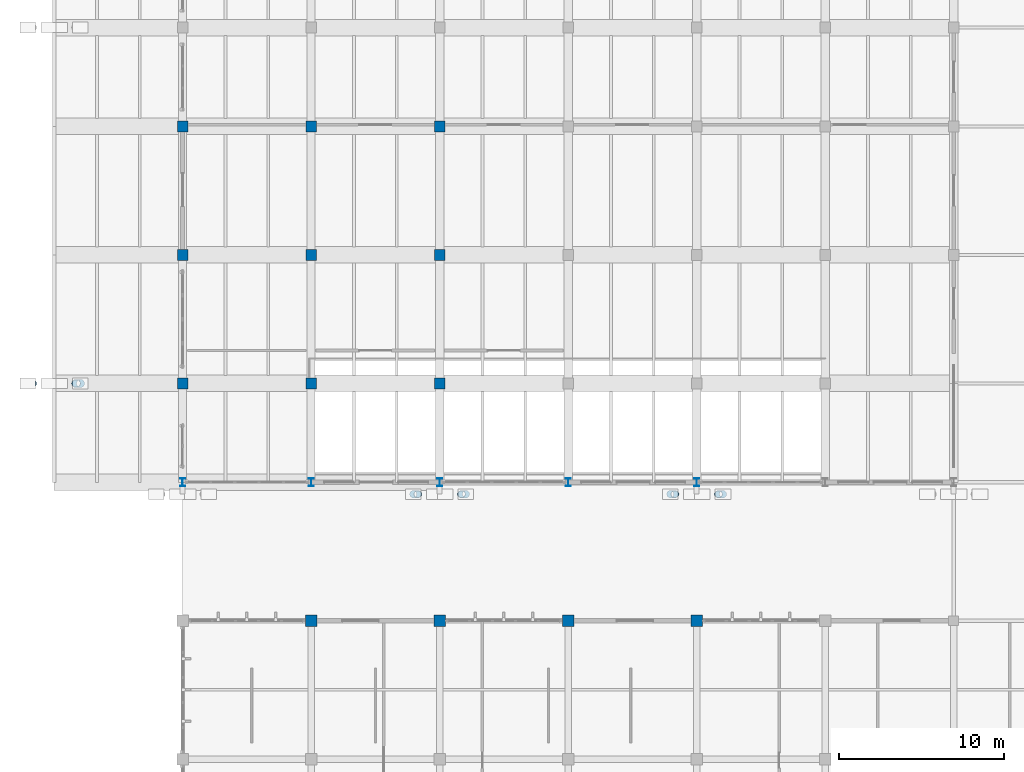
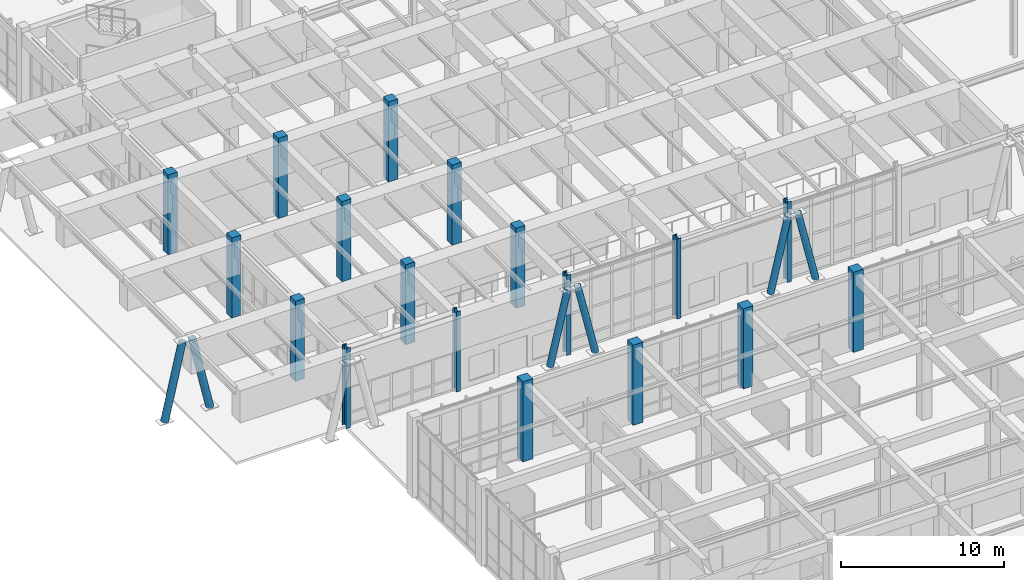
# One storey, part 2 of 110: 24 columns.
"""IFC4 building model written with IfcOpenShell, lengths in metres."""

import ifcopenshell
import ifcopenshell.guid

model = None  # the IFC model being written
_history = None  # IfcOwnerHistory: only IFC2X3 demands one
_inside = {}  # id of a spatial element -> (the spatial element, [elements in it])
_under = {}  # id of a project, library or spatial element -> (it, [spatial elements below it])
_declared = {}  # id of a project -> (the project, [libraries it declares])
_typed = {}  # id of a type object -> (the type object, [elements of that type])
_made_of = {}  # id of a material, layer set ... -> (it, [elements and type objects made of it])


def new_model(schema):
    """Start an empty IFC model of exactly this schema.

    Asked for "IFC4X3", IfcOpenShell would pick the latest addendum, in which some entities
    have other attributes; the version numbers below select the first issue.
    IFC2X3 requires an IfcOwnerHistory on every rooted entity: one is made here for all.
    """
    global model, _history
    if schema == "IFC4X3":
        model = ifcopenshell.file(schema_version=(4, 3, 0, 0))
    else:
        model = ifcopenshell.file(schema=schema)
    _inside.clear()
    _under.clear()
    _declared.clear()
    _typed.clear()
    _made_of.clear()
    _history = None
    if model.schema == "IFC2X3":
        org = make("IfcOrganization", Name="unknown")
        user = make(
            "IfcPersonAndOrganization",
            ThePerson=make("IfcPerson", FamilyName="unknown"),
            TheOrganization=org,
        )
        app = make(
            "IfcApplication",
            ApplicationDeveloper=org,
            Version="unknown",
            ApplicationFullName="unknown",
            ApplicationIdentifier="unknown",
        )
        _history = make(
            "IfcOwnerHistory",
            OwningUser=user,
            OwningApplication=app,
            ChangeAction="ADDED",
            CreationDate=0,
        )
    return model


def make(cls, **values):
    """One entity of the class cls with the attributes given. An attribute that is None is left unset."""
    return model.create_entity(
        cls, **{name: value for name, value in values.items() if value is not None}
    )


def rooted(cls, **values):
    """An entity with a GlobalId (a new one), such as an element, a storey or a relation."""
    return make(cls, GlobalId=ifcopenshell.guid.new(), OwnerHistory=_history, **values)


def si_unit(unit_type, name, prefix=None):
    """IfcSIUnit, for example si_unit("LENGTHUNIT", "METRE", prefix="MILLI")."""
    return make("IfcSIUnit", UnitType=unit_type, Prefix=prefix, Name=name)


def assignment(units):
    """IfcUnitAssignment: the units of a project."""
    return None if units is None else make("IfcUnitAssignment", Units=units)


def point(xyz):
    """IfcCartesianPoint."""
    return None if xyz is None else make("IfcCartesianPoint", Coordinates=xyz)


def direction(xyz):
    """IfcDirection."""
    return None if xyz is None else make("IfcDirection", DirectionRatios=xyz)


def frame(location, z_axis=None, x_axis=None):
    """IfcAxis2Placement3D, a coordinate frame: its origin and axes. An axis left out is left unset."""
    return make(
        "IfcAxis2Placement3D",
        Location=point(location),
        Axis=direction(z_axis),
        RefDirection=direction(x_axis),
    )


def frame_2d(location, x_axis=None):
    """IfcAxis2Placement2D, a coordinate frame in the plane: its origin and x axis."""
    return make(
        "IfcAxis2Placement2D", Location=point(location), RefDirection=direction(x_axis)
    )


def origin():
    """The frame at (0, 0, 0) with its axes left unset."""
    return frame((0.0, 0.0, 0.0))


def origin_2d():
    """The frame at (0, 0) in the plane with its x axis left unset."""
    return frame_2d((0.0, 0.0))


def place(relative_to, where):
    """IfcLocalPlacement: puts the frame where relative to a parent placement (None: the world)."""
    return make(
        "IfcLocalPlacement", PlacementRelTo=relative_to, RelativePlacement=where
    )


def context(
    kind, dimensions, precision=None, world=None, true_north=None, identifier=None
):
    """IfcGeometricRepresentationContext, for example the 3D "Model" context."""
    return make(
        "IfcGeometricRepresentationContext",
        ContextIdentifier=identifier,
        ContextType=kind,
        CoordinateSpaceDimension=dimensions,
        Precision=precision,
        WorldCoordinateSystem=world,
        TrueNorth=true_north,
    )


def subcontext(parent, identifier, kind, view, scale=None):
    """IfcGeometricRepresentationSubContext, for example "Body" below "Model"."""
    return make(
        "IfcGeometricRepresentationSubContext",
        ContextIdentifier=identifier,
        ContextType=kind,
        ParentContext=parent,
        TargetScale=scale,
        TargetView=view,
    )


def project(units=None, contexts=None):
    """IfcProject with its units and contexts."""
    return rooted(
        "IfcProject",
        Name="project",
        RepresentationContexts=contexts,
        UnitsInContext=assignment(units),
    )


def spatial(cls, under=None, at=None, **own):
    """A site, building, storey or space (cls), placed at a placement, below another one or the project."""
    s = rooted(cls, ObjectPlacement=at, **own)
    if under is not None:
        _under.setdefault(under.id(), (under, []))[1].append(s)
    return s


def profile(cls, at=None, kind="AREA", **sizes):
    """A parametric profile (cls). Its sizes go by their IFC names, for example OverallWidth=200.0."""
    return make(cls, ProfileType=kind, Position=at, **sizes)


def rectangle(**sizes):
    """IfcRectangleProfileDef."""
    return profile("IfcRectangleProfileDef", **sizes)


def hollow_circle(**sizes):
    """IfcCircleHollowProfileDef."""
    return profile("IfcCircleHollowProfileDef", **sizes)


def i_section(**sizes):
    """IfcIShapeProfileDef."""
    return profile("IfcIShapeProfileDef", **sizes)


def extrude(swept, where, along, depth):
    """IfcExtrudedAreaSolid: the profile swept, set in the frame where, extruded along a direction by depth."""
    return make(
        "IfcExtrudedAreaSolid",
        SweptArea=swept,
        Position=where,
        ExtrudedDirection=direction(along),
        Depth=depth,
    )


def shape(context_of_items, identifier, shape_type, items):
    """IfcShapeRepresentation: the items that make up one representation, for example the "Body"."""
    return make(
        "IfcShapeRepresentation",
        ContextOfItems=context_of_items,
        RepresentationIdentifier=identifier,
        RepresentationType=shape_type,
        Items=items,
    )


def material(Name=None, Category=None):
    """IfcMaterial."""
    return make("IfcMaterial", Name=Name, Category=Category)


def material_profile(
    of_material, cross_section, Name=None, Category=None, Priority=None
):
    """IfcMaterialProfile: a cross section and its material."""
    return make(
        "IfcMaterialProfile",
        Name=Name,
        Material=of_material,
        Profile=cross_section,
        Priority=Priority,
        Category=Category,
    )


def profile_set(profiles, Name=None, composite=None):
    """IfcMaterialProfileSet."""
    return make(
        "IfcMaterialProfileSet",
        Name=Name,
        MaterialProfiles=profiles,
        CompositeProfile=composite,
    )


def made_of(thing, what):
    """Note that an element or type object is made of a material, layer set ...; save() writes the relation."""
    if what is not None:
        _made_of.setdefault(what.id(), (what, []))[1].append(thing)
    return thing


def type_object(cls, material=None, **own):
    """A type object (cls), such as IfcWallType, which elements share."""
    return made_of(rooted(cls, **own), material)


def element(
    cls,
    number,
    at=None,
    inside=None,
    cuts=None,
    type_object=None,
    material=None,
    context=None,
    identifier="Body",
    shape_type=None,
    held_by="IfcProductDefinitionShape",
    body=None,
    shapes=None,
    **own,
):
    """One element of the class cls, such as IfcWall. Its Tag is "e" and its number.

    at: its placement. inside: the storey or other place that contains it. cuts: it is an
    opening in that element (IfcRelVoidsElement). A single representation is given by context,
    identifier, shape_type and body (its items); several are given by shapes. held_by: the class
    of the entity that holds the representations. save() writes the other relations.
    """
    e = rooted(cls, Tag="e%d" % number, ObjectPlacement=at, **own)
    if body is not None:
        shapes = [shape(context, identifier, shape_type, body)]
    if shapes is not None:
        e.Representation = make(held_by, Representations=shapes)
    if inside is not None:
        _inside.setdefault(inside.id(), (inside, []))[1].append(e)
    if cuts is not None:
        rooted(
            "IfcRelVoidsElement", RelatingBuildingElement=cuts, RelatedOpeningElement=e
        )
    if type_object is not None:
        _typed.setdefault(type_object.id(), (type_object, []))[1].append(e)
    return made_of(e, material)


def aggregate(whole, parts):
    """IfcRelAggregates: a whole, such as a stair, and the parts it consists of."""
    return rooted("IfcRelAggregates", RelatingObject=whole, RelatedObjects=parts)


def save(model, path):
    """Write the relations noted so far, then the file.

    IfcRelAggregates (storeys below a building ...), IfcRelContainedInSpatialStructure (elements
    in a storey), IfcRelDefinesByType, IfcRelAssociatesMaterial and IfcRelDeclares: one each for
    every whole, place, type object, material and project.
    """
    for whole, parts in _under.values():
        aggregate(whole, parts)
    for where, things in _inside.values():
        rooted(
            "IfcRelContainedInSpatialStructure",
            RelatedElements=things,
            RelatingStructure=where,
        )
    for kind, things in _typed.values():
        rooted("IfcRelDefinesByType", RelatedObjects=things, RelatingType=kind)
    for what, things in _made_of.values():
        rooted("IfcRelAssociatesMaterial", RelatedObjects=things, RelatingMaterial=what)
    for by, libraries in _declared.values():
        rooted("IfcRelDeclares", RelatingContext=by, RelatedDefinitions=libraries)
    model.write(path)


model = new_model("IFC4")

# Units and contexts
model_context = context("Model", 3, precision=1e-05, world=origin(), true_north=direction((0.0, 1.0)))
body_context = subcontext(model_context, "Body", "Model", "MODEL_VIEW")
ifc_project = project(units=[si_unit("LENGTHUNIT", "METRE"), si_unit("AREAUNIT", "SQUARE_METRE"), si_unit("VOLUMEUNIT", "CUBIC_METRE"), si_unit("PLANEANGLEUNIT", "RADIAN"), si_unit("MASSUNIT", "GRAM", prefix="KILO")], contexts=[model_context])

# Site, building, storey
site_placement = place(None, origin())
site = spatial("IfcSite", under=ifc_project, at=site_placement, CompositionType="ELEMENT")
building_placement = place(site_placement, origin())
building = spatial("IfcBuilding", under=site, at=building_placement, Name="Tizgana Railside Sports Hall", CompositionType="ELEMENT")
storey_placement = place(building_placement, origin())
storey = spatial("IfcBuildingStorey", under=building, at=storey_placement, Name="L00", CompositionType="ELEMENT", Elevation=0.0)

# Columns
ifc_material_1 = material(Name="Concrete C40/50", Category="concrete")
ifc_material_profile_1 = material_profile(ifc_material_1, rectangle(XDim=0.64990234375, YDim=0.64990234375, at=origin_2d()), Name="RC 650x650")
ifc_profile_set_1 = profile_set([ifc_material_profile_1], Name="Concrete C40/50")
column_type_1 = type_object("IfcColumnType", Name="Concrete Column RC 650x650", PredefinedType="COLUMN", material=ifc_profile_set_1)
for number, where, z_axis, x_axis, name in (
    (1, (7.800048828125, 46.800048828125, 0.0), (0.0, 0.0, 1.0), (1.0, 0.0, 0.0), "L00 COL-0010"),
    (2, (7.800048828125, 54.60009765625, 0.0), (0.0, 0.0, 1.0), (1.0, 0.0, 0.0), "L00 COL-0012"),
    (3, (7.800048828125, 62.39990234375, 0.0), (0.0, 0.0, 1.0), (1.0, 0.0, 0.0), "L00 COL-0014"),
    (4, (15.60009765625, 46.800048828125, 0.0), (0.0, 0.0, 1.0), (1.0, 0.0, 0.0), "L00 COL-0034"),
    (5, (15.60009765625, 54.60009765625, 0.0), (0.0, 0.0, 1.0), (1.0, 0.0, 0.0), "L00 COL-0036"),
    (6, (15.60009765625, 62.39990234375, 0.0), (0.0, 0.0, 1.0), (1.0, 0.0, 0.0), "L00 COL-0038"),
    (7, (23.39990234375, 46.800048828125, 0.0), (0.0, 0.0, 1.0), (1.0, 0.0, 0.0), "L00 COL-0058"),
    (8, (23.39990234375, 54.60009765625, 0.0), (0.0, 0.0, 1.0), (1.0, 0.0, 0.0), "L00 COL-0060"),
    (9, (23.39990234375, 62.39990234375, 0.0), (0.0, 0.0, 1.0), (1.0, 0.0, 0.0), "L00 COL-0062"),
):
    element("IfcColumn", number, at=place(storey_placement, frame(where, z_axis=z_axis, x_axis=x_axis)), inside=storey, type_object=column_type_1, Name=name, PredefinedType="COLUMN", context=body_context, shape_type="SweptSolid", body=[
        extrude(rectangle(XDim=0.64990234375, YDim=0.64990234375, at=origin_2d()), origin(), (0.0, 0.0, 1.0), 6.0),
    ])
ifc_material_profile_2 = material_profile(ifc_material_1, rectangle(XDim=0.699951171875, YDim=0.699951171875, at=origin_2d()), Name="RC 700x700")
ifc_profile_set_2 = profile_set([ifc_material_profile_2], Name="Concrete C40/50")
column_type_2 = type_object("IfcColumnType", Name="Concrete Column RC 700x700", PredefinedType="COLUMN", material=ifc_profile_set_2)
for number, where, z_axis, x_axis, name in (
    (10, (15.60009765625, 32.39990234375, 0.0), (0.0, 0.0, 1.0), (1.0, 0.0, 0.0), "L00 COL-0594"),
    (11, (23.39990234375, 32.39990234375, 0.0), (0.0, 0.0, 1.0), (1.0, 0.0, 0.0), "L00 COL-0627"),
    (12, (31.199951171875, 32.39990234375, 0.0), (0.0, 0.0, 1.0), (1.0, 0.0, 0.0), "L00 COL-0657"),
    (13, (39.0, 32.39990234375, 0.0), (0.0, 0.0, 1.0), (1.0, 0.0, 0.0), "L00 COL-0687"),
):
    element("IfcColumn", number, at=place(storey_placement, frame(where, z_axis=z_axis, x_axis=x_axis)), inside=storey, type_object=column_type_2, Name=name, PredefinedType="COLUMN", context=body_context, shape_type="SweptSolid", body=[
        extrude(rectangle(XDim=0.699951171875, YDim=0.699951171875, at=origin_2d()), origin(), (0.0, 0.0, 1.0), 6.0),
    ])
ifc_material_2 = material(Name="Steel S355J2", Category="steel")
ifc_material_profile_3 = material_profile(ifc_material_2, hollow_circle(Radius=0.228515625, WallThickness=0.02001953125, at=origin_2d()), Name="CHS 457x20")
ifc_profile_set_3 = profile_set([ifc_material_profile_3], Name="Steel S355J2")
column_type_3 = type_object("IfcColumnType", Name="Steel Column CHS 457x20", PredefinedType="COLUMN", material=ifc_profile_set_3)
for number, where, z_axis, x_axis, name in (
    (14, (21.804931640625, 40.080078125, 0.030029296875), (0.228407815683, 0.0, 0.973565544653), (0.0, 1.0, 0.0), "L00 V-Column COL-0051"),
    (15, (24.9951171875, 40.080078125, 0.030029296875), (-0.228407815683, 0.0, 0.973565544653), (0.0, -1.0, 0.0), "L00 V-Column COL-0053"),
    (16, (37.405029296875, 40.080078125, 0.030029296875), (0.228365704217, 0.0, 0.973575423446), (0.0, 1.0, 0.0), "L00 V-Column COL-0099"),
    (17, (40.594970703125, 40.080078125, 0.030029296875), (-0.228365704217, 0.0, 0.973575423446), (0.0, -1.0, 0.0), "L00 V-Column COL-0101"),
):
    element("IfcColumn", number, at=place(storey_placement, frame(where, z_axis=z_axis, x_axis=x_axis)), inside=storey, type_object=column_type_3, Name=name, PredefinedType="COLUMN", context=body_context, shape_type="SweptSolid", body=[
        extrude(hollow_circle(Radius=0.228515625, WallThickness=0.02001953125, at=origin_2d()), origin(), (0.0, 0.0, 1.0), 5.4951171875),
    ])
ifc_material_profile_4 = material_profile(ifc_material_2, hollow_circle(Radius=0.25390625, WallThickness=0.02001953125, at=origin_2d()), Name="CHS 508x20")
ifc_profile_set_4 = profile_set([ifc_material_profile_4], Name="Steel S355J2")
column_type_4 = type_object("IfcColumnType", Name="Steel Column CHS 508x20", PredefinedType="COLUMN", material=ifc_profile_set_4)
for number, where, z_axis, x_axis, name in (
    (18, (-1.594970703125, 46.800048828125, 0.030029296875), (0.221109765347, 0.0, 0.975248928053), (0.0, 1.0, 0.0), "L00 West Overhang V-Column COL-0176"),
    (19, (1.594970703125, 46.800048828125, 0.030029296875), (-0.221109765347, 0.0, 0.975248928053), (0.0, -1.0, 0.0), "L00 West Overhang V-Column COL-0178"),
):
    element("IfcColumn", number, at=place(storey_placement, frame(where, z_axis=z_axis, x_axis=x_axis)), inside=storey, type_object=column_type_4, Name=name, PredefinedType="COLUMN", context=body_context, shape_type="SweptSolid", body=[
        extrude(hollow_circle(Radius=0.25390625, WallThickness=0.02001953125, at=origin_2d()), origin(), (0.0, 0.0, 1.0), 5.67529296875),
    ])
ifc_material_profile_5 = material_profile(ifc_material_2, i_section(OverallWidth=0.300048828125, OverallDepth=0.5, WebThickness=0.014404296875, FlangeThickness=0.028076171875, FilletRadius=0.027099609375, at=origin_2d()), Name="HEB 500")
ifc_profile_set_5 = profile_set([ifc_material_profile_5], Name="Steel S355J2")
column_type_5 = type_object("IfcColumnType", Name="Steel Column HEB 500", PredefinedType="COLUMN", material=ifc_profile_set_5)
for number, where, z_axis, x_axis, name in (
    (20, (7.800048828125, 40.800048828125, 0.0), (0.0, 0.0, 1.0), (1.0, 0.0, 0.0), "L00 COL-0002"),
    (21, (15.60009765625, 40.800048828125, 0.0), (0.0, 0.0, 1.0), (1.0, 0.0, 0.0), "L00 COL-0030"),
    (22, (23.39990234375, 40.800048828125, 0.0), (0.0, 0.0, 1.0), (1.0, 0.0, 0.0), "L00 COL-0050"),
    (23, (31.199951171875, 40.800048828125, 0.0), (0.0, 0.0, 1.0), (1.0, 0.0, 0.0), "L00 COL-0078"),
    (24, (39.0, 40.800048828125, 0.0), (0.0, 0.0, 1.0), (1.0, 0.0, 0.0), "L00 COL-0098"),
):
    element("IfcColumn", number, at=place(storey_placement, frame(where, z_axis=z_axis, x_axis=x_axis)), inside=storey, type_object=column_type_5, Name=name, PredefinedType="COLUMN", context=body_context, shape_type="SweptSolid", body=[
        extrude(i_section(OverallWidth=0.300048828125, OverallDepth=0.5, WebThickness=0.014404296875, FlangeThickness=0.028076171875, FilletRadius=0.027099609375, at=origin_2d()), origin(), (0.0, 0.0, 1.0), 6.0),
    ])

save(model, "model.ifc")
